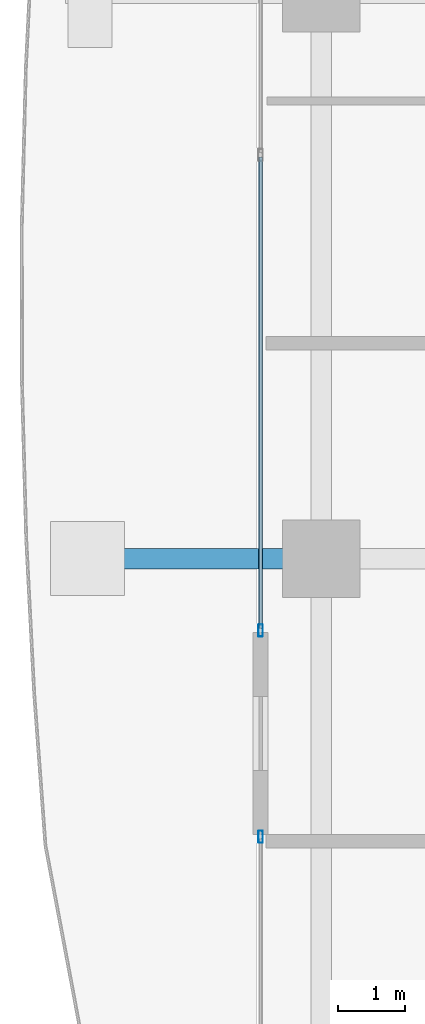
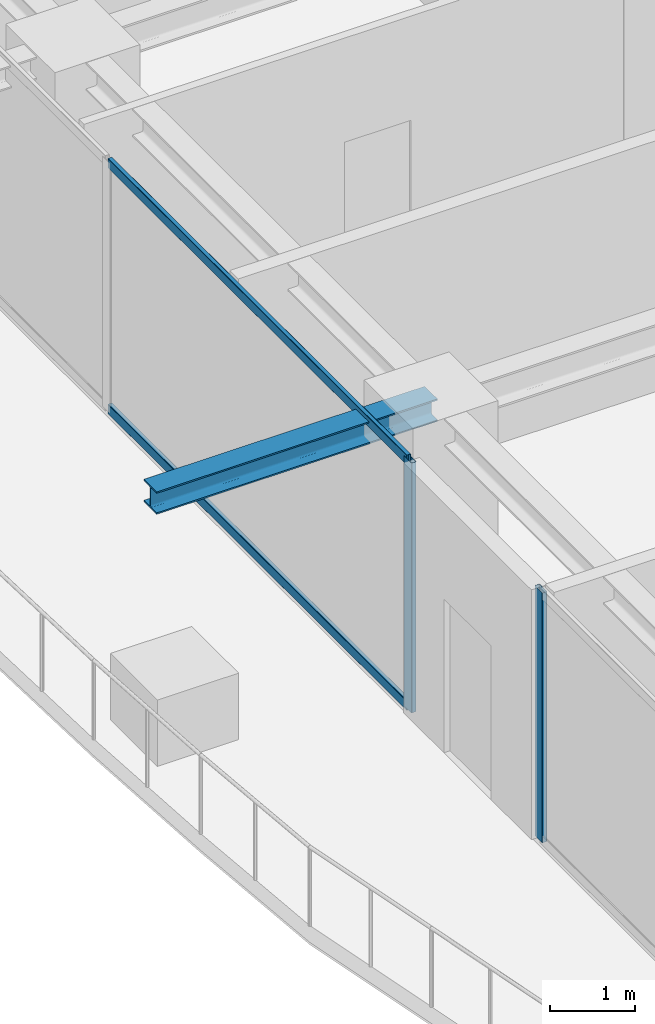
# One storey, part 8 of 38: 4 members, 1 beam, 2 elements without a shape of their own.
"""IFC4 building model written with IfcOpenShell, lengths in metres."""

from ifc_helpers import new_model, si_unit, direction, frame, origin, origin_2d, place, context, subcontext, project, spatial, hollow_rectangle, i_section, extrude, source, transform, mapped, material, layer, layer_set, material_profile, profile_set, type_object, element, aggregate, save


model = new_model("IFC4")

# Units and contexts
model_context = context("Model", 3, precision=1e-05, world=origin(), true_north=direction((0.0, 1.0)))
body_context = subcontext(model_context, "Body", "Model", "MODEL_VIEW")
ifc_project = project(units=[si_unit("LENGTHUNIT", "METRE"), si_unit("AREAUNIT", "SQUARE_METRE"), si_unit("VOLUMEUNIT", "CUBIC_METRE"), si_unit("PLANEANGLEUNIT", "RADIAN"), si_unit("MASSUNIT", "GRAM", prefix="KILO")], contexts=[model_context])

# Site, building, storey
site_placement = place(None, origin())
site = spatial("IfcSite", under=ifc_project, at=site_placement, CompositionType="ELEMENT")
building_placement = place(site_placement, origin())
building = spatial("IfcBuilding", under=site, at=building_placement, Name="Serunith Strait Residences", CompositionType="ELEMENT")
storey_placement = place(building_placement, frame((0.0, 0.0, 268.199951171875)))
storey = spatial("IfcBuildingStorey", under=building, at=storey_placement, Name="L67", CompositionType="ELEMENT", Elevation=268.199951171875)

# Beam
ifc_material_1 = material(Name="Steel S355J2", Category="steel")
ifc_material_profile_1 = material_profile(ifc_material_1, i_section(OverallWidth=0.300048828125, OverallDepth=0.320068359375, WebThickness=0.011474609375, FlangeThickness=0.0205078125, FilletRadius=0.027099609375, at=origin_2d()), Name="HEB 320")
ifc_profile_set_1 = profile_set([ifc_material_profile_1], Name="Steel S355J2")
beam_type = type_object("IfcBeamType", Name="BM-HEB320", PredefinedType="BEAM", material=ifc_profile_set_1)
shared_shape_1 = source(origin(), body_context, "Body", "SweptSolid", [
    extrude(i_section(OverallWidth=0.300048828125, OverallDepth=0.320068359375, WebThickness=0.011474609375, FlangeThickness=0.0205078125, FilletRadius=0.027099609375, at=origin_2d()), origin(), (0.0, 0.0, 1.0), 3.800048828125),
])
beam_placement = place(storey_placement, frame((8.300048828125, 21.0, 3.39697265625), z_axis=(-1.0, 0.0, 0.0), x_axis=(0.0, -1.0, 0.0)))
element("IfcBeam", 1, at=beam_placement, inside=storey, type_object=beam_type, Name="L68 Cantilevered Balcony Rib TC-W2", PredefinedType="BEAM", context=body_context, shape_type="MappedRepresentation", body=[
    mapped(shared_shape_1, transform((0.0, 0.0, 0.0), scale=1.0)),
])

# Curtain wall, member
ifc_material_2 = material(Name="Pale-Champagne Anodised Aluminium", Category="aluminium")
ifc_layer = layer(ifc_material_2, 0.199951171875, Name="Pale-Champagne Anodised Aluminium")
ifc_layer_set = layer_set([ifc_layer], Name="Pale-Champagne Anodised Aluminium")
curtain_wall_type = type_object("IfcCurtainWallType", Name="CW-SYS4", PredefinedType="NOTDEFINED", material=ifc_layer_set)
curtain_wall_1_placement = place(storey_placement, origin())
curtain_wall_1 = element("IfcCurtainWall", 2, at=curtain_wall_1_placement, inside=storey, type_object=curtain_wall_type, Name="L67 W Unitised Fritted Curtain Wall", PredefinedType="NOTDEFINED")
ifc_material_profile_2 = material_profile(ifc_material_2, hollow_rectangle(XDim=0.06494140625, YDim=0.179931640625, WallThickness=0.00341796875, InnerFilletRadius=0.00537109375, OuterFilletRadius=0.0087890625, at=origin_2d()), Name="ALU 180x65x3.5")
ifc_profile_set_2 = profile_set([ifc_material_profile_2], Name="Pale-Champagne Anodised Aluminium")
member_type_1 = type_object("IfcMemberType", Name="CW-SYS4-MULL", PredefinedType="MULLION", material=ifc_profile_set_2)
shared_shape_2 = source(origin(), body_context, "Body", "SweptSolid", [
    extrude(hollow_rectangle(XDim=0.06494140625, YDim=0.179931640625, WallThickness=0.00341796875, InnerFilletRadius=0.00537109375, OuterFilletRadius=0.0087890625, at=origin_2d()), origin(), (0.0, 0.0, 1.0), 3.574951171875),
])
member_1_placement = place(storey_placement, frame((7.39990234375, 19.9326171875, 0.0), z_axis=(0.0, 0.0, 1.0), x_axis=(1.0, 0.0, 0.0)))
member_1 = element("IfcMember", 3, at=member_1_placement, type_object=member_type_1, Name="CW-4 mullion 4", PredefinedType="MULLION", context=body_context, shape_type="MappedRepresentation", body=[
    mapped(shared_shape_2, transform((0.0, 0.0, 0.0), scale=1.0)),
])

curtain_wall_2_placement = place(storey_placement, origin())
curtain_wall_2 = element("IfcCurtainWall", 4, at=curtain_wall_2_placement, inside=storey, type_object=curtain_wall_type, Name="L67 W Unitised Fritted Curtain Wall", PredefinedType="NOTDEFINED")
member_2_placement = place(storey_placement, frame((7.39990234375, 16.867431640625, 0.0), z_axis=(0.0, 0.0, 1.0), x_axis=(1.0, 0.0, 0.0)))
member_2 = element("IfcMember", 5, at=member_2_placement, type_object=member_type_1, Name="CW-4 mullion 1", PredefinedType="MULLION", context=body_context, shape_type="MappedRepresentation", body=[
    mapped(shared_shape_2, transform((0.0, 0.0, 0.0), scale=1.0)),
])
aggregate(curtain_wall_2, [member_2])

# Member
ifc_material_profile_3 = material_profile(ifc_material_2, hollow_rectangle(XDim=0.06005859375, YDim=0.139892578125, WallThickness=0.00341796875, InnerFilletRadius=0.00537109375, OuterFilletRadius=0.0087890625, at=origin_2d()), Name="ALU 140x60x3.5")
ifc_profile_set_3 = profile_set([ifc_material_profile_3], Name="Pale-Champagne Anodised Aluminium")
member_type_2 = type_object("IfcMemberType", Name="CW-SYS4-TRAN", PredefinedType="USERDEFINED", material=ifc_profile_set_3)
shared_shape_3 = source(origin(), body_context, "Body", "SweptSolid", [
    extrude(hollow_rectangle(XDim=0.06005859375, YDim=0.139892578125, WallThickness=0.00341796875, InnerFilletRadius=0.00537109375, OuterFilletRadius=0.0087890625, at=origin_2d()), origin(), (0.0, 0.0, 1.0), 7.00244140625),
])
member_3_placement = place(storey_placement, frame((7.39990234375, 26.967529296875, 0.030029296875), z_axis=(0.0, -1.0, 0.0), x_axis=(1.0, 0.0, 0.0)))
member_3 = element("IfcMember", 6, at=member_3_placement, type_object=member_type_2, Name="CW-4 transom 3.1", ObjectType="TRANSOM", PredefinedType="USERDEFINED", context=body_context, shape_type="MappedRepresentation", body=[
    mapped(shared_shape_3, transform((0.0, 0.0, 0.0), scale=1.0)),
])

member_4_placement = place(storey_placement, frame((7.39990234375, 26.967529296875, 3.545166015625), z_axis=(0.0, -1.0, 0.0), x_axis=(1.0, 0.0, 0.0)))
member_4 = element("IfcMember", 7, at=member_4_placement, type_object=member_type_2, Name="CW-4 transom 3.2", ObjectType="TRANSOM", PredefinedType="USERDEFINED", context=body_context, shape_type="MappedRepresentation", body=[
    mapped(shared_shape_3, transform((0.0, 0.0, 0.0), scale=1.0)),
])

aggregate(curtain_wall_1, [member_1, member_3, member_4])

save(model, "model.ifc")
